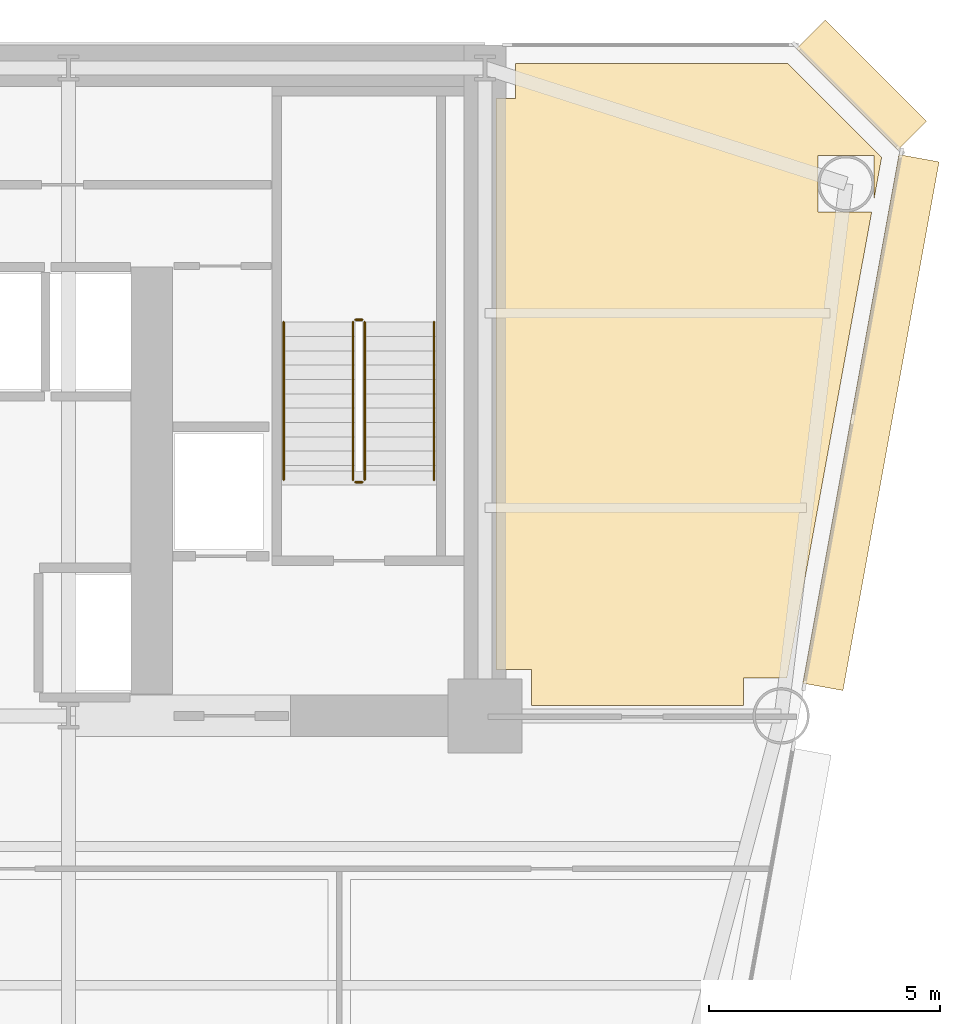
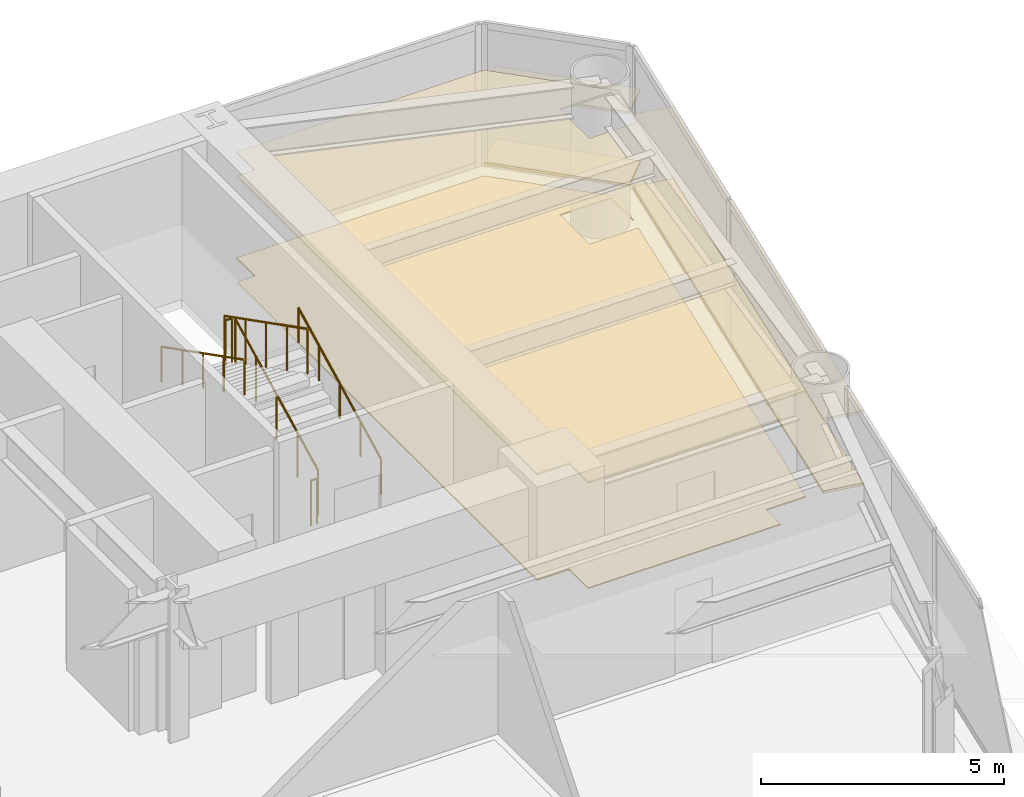
# One storey, part 14 of 14: 6 coverings, 6 railings.
"""IFC4 building model written with IfcOpenShell, lengths in metres."""

from ifc_helpers import new_model, si_unit, direction, frame, origin, origin_2d, place, context, subcontext, project, spatial, polyline, rectangle, circle, outline, extrude, source, transform, mapped, material, layer, layer_set, type_object, element, save


model = new_model("IFC4")

# Units and contexts
model_context = context("Model", 3, precision=1e-05, world=origin(), true_north=direction((0.0, 1.0)))
body_context = subcontext(model_context, "Body", "Model", "MODEL_VIEW")
ifc_project = project(units=[si_unit("LENGTHUNIT", "METRE"), si_unit("AREAUNIT", "SQUARE_METRE"), si_unit("VOLUMEUNIT", "CUBIC_METRE"), si_unit("PLANEANGLEUNIT", "RADIAN"), si_unit("MASSUNIT", "GRAM", prefix="KILO")], contexts=[model_context])

# Site, building, storey
site_placement = place(None, origin())
site = spatial("IfcSite", under=ifc_project, at=site_placement, CompositionType="ELEMENT")
building_placement = place(site_placement, origin())
building = spatial("IfcBuilding", under=site, at=building_placement, Name="Vaeldorn Concourse Tower", CompositionType="ELEMENT")
storey_placement = place(building_placement, frame((0.0, 0.0, 41.60009765625)))
storey = spatial("IfcBuildingStorey", under=building, at=storey_placement, Name="L10", CompositionType="ELEMENT", Elevation=41.60009765625)

# Coverings
ifc_material_1 = material(Name="Acoustic Mineral Fibre Board", Category="gypsum")
ifc_layer_1 = layer(ifc_material_1, 0.0400390625)
ifc_layer_set_1 = layer_set([ifc_layer_1], Name="Acoustic Mineral Fibre Board")
covering_type_1 = type_object("IfcCoveringType", Name="COV-CEIL-ACOUSTIC", PredefinedType="CEILING", material=ifc_layer_set_1)
covering_1_placement = place(storey_placement, frame((0.0, 0.0, 2.64990234375)))
element("IfcCovering", 1, at=covering_1_placement, inside=storey, type_object=covering_type_1, Name="Suspended Acoustic Ceiling L10-4", PredefinedType="CEILING", context=body_context, shape_type="SweptSolid", body=[
    extrude(outline(polyline([(54.659912109375, 49.840087890625), (54.659912109375, 50.60009765625), (60.5341796875, 50.60009765625), (62.56884765625, 48.5654296875), (62.409423828125, 47.688720703125), (62.409423828125, 48.609619140625), (61.1904296875, 48.609619140625), (61.1904296875, 47.390380859375), (62.355224609375, 47.390380859375), (60.523681640625, 37.320068359375), (59.580078125, 37.320068359375), (59.580078125, 36.719970703125), (55.0, 36.719970703125), (55.0, 37.5), (54.239990234375, 37.5), (54.239990234375, 49.840087890625), (54.659912109375, 49.840087890625)])), origin(), (0.0, 0.0, 1.0), 0.0400390625),
])
ifc_material_2 = material(Name="Honed Limestone Terrazzo Flooring", Category="masonry")
ifc_layer_2 = layer(ifc_material_2, 0.0400390625)
ifc_layer_set_2 = layer_set([ifc_layer_2], Name="Honed Limestone Terrazzo Flooring")
covering_type_2 = type_object("IfcCoveringType", Name="COV-FLOOR-STONE", PredefinedType="FLOORING", material=ifc_layer_set_2)
covering_2_placement = place(storey_placement, origin())
element("IfcCovering", 2, at=covering_2_placement, inside=storey, type_object=covering_type_2, Name="Floor Finish Covering L10-4", PredefinedType="FLOORING", context=body_context, shape_type="SweptSolid", body=[
    extrude(outline(polyline([(54.659912109375, 49.840087890625), (54.659912109375, 50.60009765625), (60.5341796875, 50.60009765625), (62.56884765625, 48.5654296875), (62.409423828125, 47.688720703125), (62.409423828125, 48.609619140625), (61.1904296875, 48.609619140625), (61.1904296875, 47.390380859375), (62.355224609375, 47.390380859375), (60.523681640625, 37.320068359375), (59.580078125, 37.320068359375), (59.580078125, 36.719970703125), (55.0, 36.719970703125), (55.0, 37.5), (54.239990234375, 37.5), (54.239990234375, 49.840087890625), (54.659912109375, 49.840087890625)])), origin(), (0.0, 0.0, 1.0), 0.02978515625),
])

# Railings
ifc_material_3 = material(Name="Anodised Bronze Aluminium", Category="aluminium")
railing_type_1 = type_object("IfcRailingType", Name="RL-STAIR-GUARD", PredefinedType="GUARDRAIL", material=ifc_material_3)
railing_1_placement = place(storey_placement, frame((51.39990234375, 41.60009765625, 0.158203125)))
element("IfcRailing", 3, at=railing_1_placement, inside=storey, type_object=railing_type_1, Name="L10 ST-2 stair guard 1", PredefinedType="GUARDRAIL", context=body_context, shape_type="SweptSolid", body=[
    extrude(circle(Radius=0.02392578125, at=origin_2d()), frame((0.0, 0.0, 1.1259765625), z_axis=(0.0, 0.890555807335, 0.454873997962), x_axis=(-1.0, 0.0, 0.0)), (0.0, 0.0, 1.0), 3.828857421875),
    extrude(circle(Radius=0.02099609375, at=origin_2d()), origin(), (0.0, 0.0, 1.0), 1.101806640625),
    extrude(circle(Radius=0.02099609375, at=origin_2d()), frame((0.0, 0.8525390625, 0.435546875)), (0.0, 0.0, 1.0), 1.101806640625),
    extrude(circle(Radius=0.02099609375, at=origin_2d()), frame((0.0, 1.705078125, 0.870849609375)), (0.0, 0.0, 1.0), 1.101806640625),
    extrude(circle(Radius=0.02099609375, at=origin_2d()), frame((0.0, 2.557373046875, 1.30615234375)), (0.0, 0.0, 1.0), 1.101806640625),
    extrude(circle(Radius=0.02099609375, at=origin_2d()), frame((0.0, 3.409912109375, 1.74169921875)), (0.0, 0.0, 1.0), 1.101806640625),
])
railing_2_placement = place(storey_placement, frame((51.35009765625, 45.06005859375, 1.89990234375)))
element("IfcRailing", 4, at=railing_2_placement, inside=storey, type_object=railing_type_1, Name="L10 ST-2 stair guard 2", PredefinedType="GUARDRAIL", context=body_context, shape_type="SweptSolid", body=[
    extrude(circle(Radius=0.02392578125, at=origin_2d()), frame((0.0, 0.0, 1.1259765625), z_axis=(-1.0, 0.0, 0.0), x_axis=(0.0, -1.0, 0.0)), (0.0, 0.0, 1.0), 0.150146484375),
    extrude(circle(Radius=0.02099609375, at=origin_2d()), origin(), (0.0, 0.0, 1.0), 1.101806640625),
    extrude(circle(Radius=0.02099609375, at=origin_2d()), frame((-0.150146484375, 0.0, 0.0)), (0.0, 0.0, 1.0), 1.101806640625),
])
railing_3_placement = place(storey_placement, frame((51.14990234375, 45.010009765625, 2.058349609375)))
element("IfcRailing", 5, at=railing_3_placement, inside=storey, type_object=railing_type_1, Name="L10 ST-2 stair guard 3", PredefinedType="GUARDRAIL", context=body_context, shape_type="SweptSolid", body=[
    extrude(circle(Radius=0.02392578125, at=origin_2d()), frame((0.0, 0.0, 1.1259765625), z_axis=(0.0, -0.890581635807, 0.454823427236), x_axis=(1.0, 0.0, 0.0)), (0.0, 0.0, 1.0), 3.828857421875),
    extrude(circle(Radius=0.02099609375, at=origin_2d()), origin(), (0.0, 0.0, 1.0), 1.101806640625),
    extrude(circle(Radius=0.02099609375, at=origin_2d()), frame((0.0, -0.8525390625, 0.435302734375)), (0.0, 0.0, 1.0), 1.101806640625),
    extrude(circle(Radius=0.02099609375, at=origin_2d()), frame((0.0, -1.705078125, 0.87060546875)), (0.0, 0.0, 1.0), 1.101806640625),
    extrude(circle(Radius=0.02099609375, at=origin_2d()), frame((0.0, -2.557373046875, 1.30615234375)), (0.0, 0.0, 1.0), 1.101806640625),
    extrude(circle(Radius=0.02099609375, at=origin_2d()), frame((0.0, -3.409912109375, 1.741455078125)), (0.0, 0.0, 1.0), 1.101806640625),
])
railing_4_placement = place(storey_placement, frame((51.35009765625, 41.550048828125, 0.0)))
element("IfcRailing", 6, at=railing_4_placement, inside=storey, type_object=railing_type_1, Name="L10 ST-2 stair guard 4", PredefinedType="GUARDRAIL", context=body_context, shape_type="SweptSolid", body=[
    extrude(circle(Radius=0.02392578125, at=origin_2d()), frame((0.0, 0.0, 1.1259765625), z_axis=(-1.0, 0.0, 0.0), x_axis=(0.0, -1.0, 0.0)), (0.0, 0.0, 1.0), 0.150146484375),
    extrude(circle(Radius=0.02099609375, at=origin_2d()), origin(), (0.0, 0.0, 1.0), 1.101806640625),
    extrude(circle(Radius=0.02099609375, at=origin_2d()), frame((-0.150146484375, 0.0, 0.0)), (0.0, 0.0, 1.0), 1.101806640625),
])
railing_type_2 = type_object("IfcRailingType", Name="RL-STAIR-HANDRAIL", PredefinedType="HANDRAIL", material=ifc_material_3)
railing_5_placement = place(storey_placement, frame((52.89990234375, 41.60009765625, 0.158203125)))
element("IfcRailing", 7, at=railing_5_placement, inside=storey, type_object=railing_type_2, Name="L10 ST-2 stair handrail 1", PredefinedType="HANDRAIL", context=body_context, shape_type="SweptSolid", body=[
    extrude(circle(Radius=0.02392578125, at=origin_2d()), frame((0.0, 0.0, 0.8759765625), z_axis=(0.0, 0.890555807335, 0.454873997962), x_axis=(-1.0, 0.0, 0.0)), (0.0, 0.0, 1.0), 3.828857421875),
    extrude(circle(Radius=0.02099609375, at=origin_2d()), origin(), (0.0, 0.0, 1.0), 0.851806640625),
    extrude(circle(Radius=0.02099609375, at=origin_2d()), frame((0.0, 0.8525390625, 0.435546875)), (0.0, 0.0, 1.0), 0.851806640625),
    extrude(circle(Radius=0.02099609375, at=origin_2d()), frame((0.0, 1.705078125, 0.870849609375)), (0.0, 0.0, 1.0), 0.851806640625),
    extrude(circle(Radius=0.02099609375, at=origin_2d()), frame((0.0, 2.557373046875, 1.30615234375)), (0.0, 0.0, 1.0), 0.851806640625),
    extrude(circle(Radius=0.02099609375, at=origin_2d()), frame((0.0, 3.409912109375, 1.74169921875)), (0.0, 0.0, 1.0), 0.851806640625),
])
railing_6_placement = place(storey_placement, frame((49.64990234375, 45.010009765625, 2.058349609375)))
element("IfcRailing", 8, at=railing_6_placement, inside=storey, type_object=railing_type_2, Name="L10 ST-2 stair handrail 2", PredefinedType="HANDRAIL", context=body_context, shape_type="SweptSolid", body=[
    extrude(circle(Radius=0.02392578125, at=origin_2d()), frame((0.0, 0.0, 0.8759765625), z_axis=(0.0, -0.890581635807, 0.454823427236), x_axis=(1.0, 0.0, 0.0)), (0.0, 0.0, 1.0), 3.828857421875),
    extrude(circle(Radius=0.02099609375, at=origin_2d()), origin(), (0.0, 0.0, 1.0), 0.851806640625),
    extrude(circle(Radius=0.02099609375, at=origin_2d()), frame((0.0, -0.8525390625, 0.435302734375)), (0.0, 0.0, 1.0), 0.851806640625),
    extrude(circle(Radius=0.02099609375, at=origin_2d()), frame((0.0, -1.705078125, 0.87060546875)), (0.0, 0.0, 1.0), 0.851806640625),
    extrude(circle(Radius=0.02099609375, at=origin_2d()), frame((0.0, -2.557373046875, 1.30615234375)), (0.0, 0.0, 1.0), 0.851806640625),
    extrude(circle(Radius=0.02099609375, at=origin_2d()), frame((0.0, -3.409912109375, 1.741455078125)), (0.0, 0.0, 1.0), 0.851806640625),
])

# Coverings
ifc_layer_3 = layer(ifc_material_3, 0.06494140625)
ifc_layer_set_3 = layer_set([ifc_layer_3], Name="Anodised Bronze Aluminium")
covering_type_3 = type_object("IfcCoveringType", Name="SD-BRONZE-SUNSHADE", PredefinedType="USERDEFINED", material=ifc_layer_set_3)
shared_shape_1 = source(origin(), body_context, "Body", "SweptSolid", [
    extrude(rectangle(XDim=3.0927734375, YDim=0.8798828125, at=origin_2d()), origin(), (0.0, 0.0, 1.0), 0.06494140625),
])
for number, where, z_axis, x_axis, name in (
    (9, (62.1328125, 50.1328125, 0.04736328125), (0.0, 0.0, 1.0), (-0.707106781187, 0.707106781187, 0.0), "Horizontal Bronze Sunshade L10-E08.1.1"),
    (10, (62.1328125, 50.1328125, 1.867431640625), (0.0, 0.0, 1.0), (-0.707106781187, 0.707106781187, 0.0), "Horizontal Bronze Sunshade L10-E08.1.2"),
):
    element("IfcCovering", number, at=place(storey_placement, frame(where, z_axis=z_axis, x_axis=x_axis)), inside=storey, type_object=covering_type_3, Name=name, ObjectType="SUNSHADE", PredefinedType="USERDEFINED", context=body_context, shape_type="MappedRepresentation", body=[
        mapped(shared_shape_1, transform((0.0, 0.0, 0.0), scale=1.0)),
    ])
shared_shape_2 = source(origin(), body_context, "Body", "SweptSolid", [
    extrude(rectangle(XDim=11.610595703125, YDim=0.8798828125, at=origin_2d()), origin(), (0.0, 0.0, 1.0), 0.06494140625),
])
for number, where, z_axis, x_axis, name in (
    (11, (62.34033203125, 42.838134765625, 0.04736328125), (0.0, 0.0, 1.0), (0.17893958964, 0.983860062844, 0.0), "Horizontal Bronze Sunshade L10-E07.2.1"),
    (12, (62.34033203125, 42.838134765625, 1.867431640625), (0.0, 0.0, 1.0), (0.17893958964, 0.983860062844, 0.0), "Horizontal Bronze Sunshade L10-E07.2.2"),
):
    element("IfcCovering", number, at=place(storey_placement, frame(where, z_axis=z_axis, x_axis=x_axis)), inside=storey, type_object=covering_type_3, Name=name, ObjectType="SUNSHADE", PredefinedType="USERDEFINED", context=body_context, shape_type="MappedRepresentation", body=[
        mapped(shared_shape_2, transform((0.0, 0.0, 0.0), scale=1.0)),
    ])

save(model, "model.ifc")
